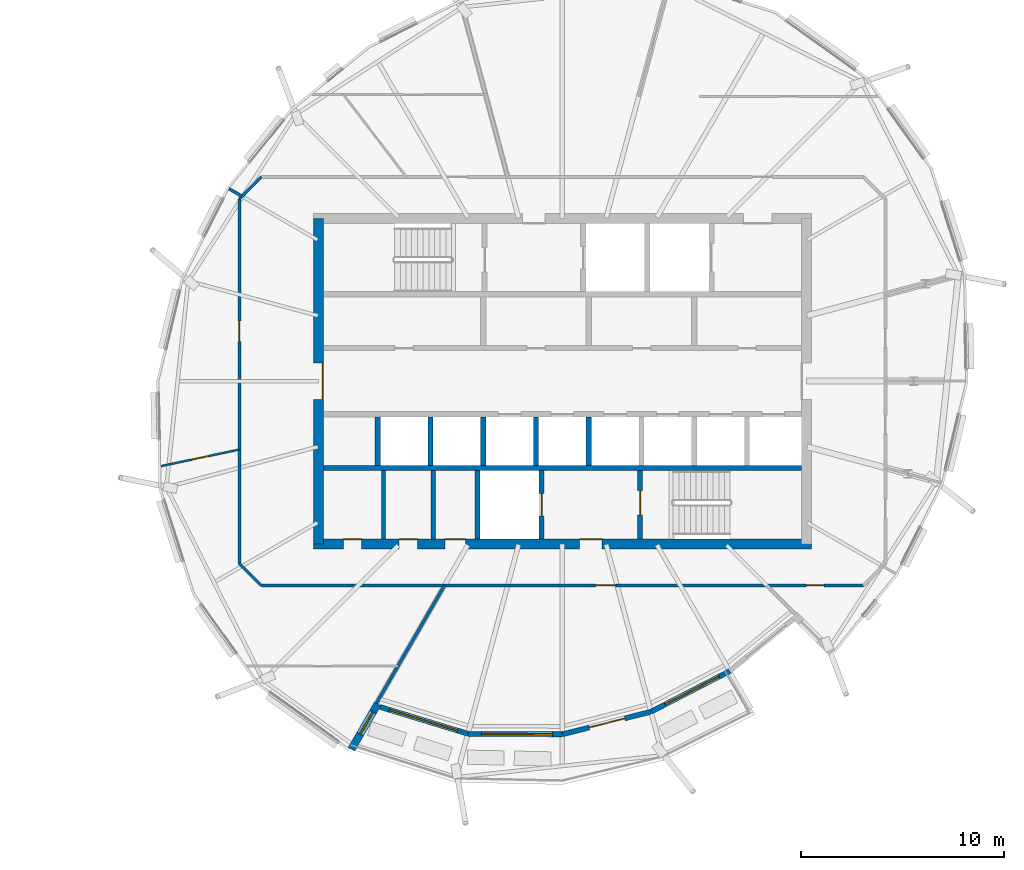
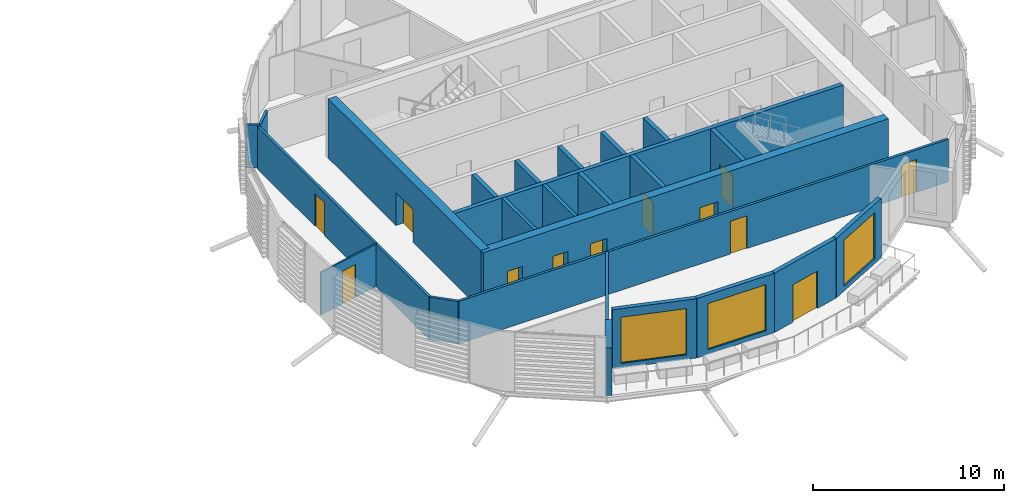
# One storey, part 23 of 41: 25 walls, 12 doors, 4 windows, 16 openings.
"""IFC4 building model written with IfcOpenShell, lengths in metres."""

from ifc_helpers import new_model, si_unit, direction, frame, frame_2d, origin, place, context, subcontext, project, spatial, rectangle, extrude, material, layer, layer_set, type_object, element, fill, save


model = new_model("IFC4")

# Units and contexts
model_context = context("Model", 3, precision=1e-05, world=origin(), true_north=direction((0.0, 1.0)))
body_context = subcontext(model_context, "Body", "Model", "MODEL_VIEW")
ifc_project = project(units=[si_unit("LENGTHUNIT", "METRE"), si_unit("AREAUNIT", "SQUARE_METRE"), si_unit("VOLUMEUNIT", "CUBIC_METRE"), si_unit("PLANEANGLEUNIT", "RADIAN"), si_unit("MASSUNIT", "GRAM", prefix="KILO")], contexts=[model_context])

# Site, building, storey
site_placement = place(None, origin())
site = spatial("IfcSite", under=ifc_project, at=site_placement, CompositionType="ELEMENT")
building_placement = place(site_placement, origin())
building = spatial("IfcBuilding", under=site, at=building_placement, Name="Rimbun Link Towers", CompositionType="ELEMENT")
storey_placement = place(building_placement, frame((0.0, 0.0, 210.5)))
storey = spatial("IfcBuildingStorey", under=building, at=storey_placement, Name="L51", CompositionType="ELEMENT", Elevation=210.5)

# Wall, opening, window
ifc_material_1 = material(Name="Dark enamelled glass spandrel on insulated aluminium backpan", Category="aluminium")
ifc_layer_1 = layer(ifc_material_1, 0.25)
ifc_layer_set_1 = layer_set([ifc_layer_1], Name="CS dark enamelled spandrel wall 250")
wall_type_1 = type_object("IfcWallType", Name="CS dark enamelled spandrel wall 250", PredefinedType="STANDARD", material=ifc_layer_set_1)
wall_1_placement = place(storey_placement, frame((27.11865234375, -17.338623046875, 0.0), z_axis=(0.0, 0.0, 1.0), x_axis=(-0.956574513319, 0.291487907928, 0.0)))
wall_1 = element("IfcWall", 1, at=wall_1_placement, inside=storey, type_object=wall_type_1, Name="Crease spandrel wall", PredefinedType="STANDARD", context=body_context, shape_type="SweptSolid", body=[
    extrude(rectangle(XDim=4.525390625, YDim=0.25, at=frame_2d((2.2626953125, 0.0))), origin(), (0.0, 0.0, 1.0), 3.800048828125),
])
opening_1_placement = place(wall_1_placement, frame((0.5498046875, 0.0, 0.300048828125)))
opening_1 = element("IfcOpeningElement", 2, at=opening_1_placement, cuts=wall_1, Name="Opening WR35H295", PredefinedType="OPENING", context=body_context, shape_type="SweptSolid", body=[
    extrude(rectangle(XDim=3.5, YDim=2.949951171875, at=frame_2d((1.75, 1.47509765625))), frame((0.0, 0.135009765625, 0.0), z_axis=(0.0, -1.0, 0.0), x_axis=(1.0, 0.0, 0.0)), (0.0, 0.0, 1.0), 0.27001953125),
])
ifc_material_2 = material(Name="Aluminium framed fixed window, dark tinted low-e glass", Category="aluminium")
window_type_1 = type_object("IfcWindowType", Name="WR ribbon window 3500X2950", PartitioningType="SINGLE_PANEL", PredefinedType="WINDOW", material=ifc_material_2)
window_1_placement = place(opening_1_placement, origin())
window_1 = element("IfcWindow", 3, at=window_1_placement, inside=storey, type_object=window_type_1, Name="Crease ribbon window", OverallHeight=2.949951171875, OverallWidth=3.5, PartitioningType="SINGLE_PANEL", PredefinedType="WINDOW", context=body_context, shape_type="SweptSolid", body=[
    extrude(rectangle(XDim=3.5, YDim=2.949951171875, at=frame_2d((1.75, 1.47509765625))), frame((0.0, 0.030029296875, 0.0), z_axis=(0.0, -1.0, 0.0), x_axis=(1.0, 0.0, 0.0)), (0.0, 0.0, 1.0), 0.06005859375),
])
fill(opening_1, window_1)

wall_2_placement = place(storey_placement, frame((31.765380859375, -17.361328125, 0.0), z_axis=(0.0, 0.0, 1.0), x_axis=(-0.999988062493, 0.004886191867, 0.0)))
wall_2 = element("IfcWall", 4, at=wall_2_placement, inside=storey, type_object=wall_type_1, Name="Crease spandrel wall", PredefinedType="STANDARD", context=body_context, shape_type="SweptSolid", body=[
    extrude(rectangle(XDim=4.646728515625, YDim=0.25, at=frame_2d((2.3232421875, 0.0))), origin(), (0.0, 0.0, 1.0), 3.800048828125),
])
opening_2_placement = place(wall_2_placement, frame((0.49267578125, 0.0, 0.300048828125)))
opening_2 = element("IfcOpeningElement", 5, at=opening_2_placement, cuts=wall_2, Name="Opening WR35H295", PredefinedType="OPENING", context=body_context, shape_type="SweptSolid", body=[
    extrude(rectangle(XDim=3.5, YDim=2.949951171875, at=frame_2d((1.75, 1.47509765625))), frame((0.0, 0.135009765625, 0.0), z_axis=(0.0, -1.0, 0.0), x_axis=(1.0, 0.0, 0.0)), (0.0, 0.0, 1.0), 0.27001953125),
])
window_2_placement = place(opening_2_placement, origin())
window_2 = element("IfcWindow", 6, at=window_2_placement, inside=storey, type_object=window_type_1, Name="Crease ribbon window", OverallHeight=2.949951171875, OverallWidth=3.5, PartitioningType="SINGLE_PANEL", PredefinedType="WINDOW", context=body_context, shape_type="SweptSolid", body=[
    extrude(rectangle(XDim=3.5, YDim=2.949951171875, at=frame_2d((1.75, 1.47509765625))), frame((0.0, 0.030029296875, 0.0), z_axis=(0.0, -1.0, 0.0), x_axis=(1.0, 0.0, 0.0)), (0.0, 0.0, 1.0), 0.06005859375),
])
fill(opening_2, window_2)

# Wall, opening, door
wall_3_placement = place(storey_placement, frame((36.116943359375, -16.247802734375, 0.0), z_axis=(0.0, 0.0, 1.0), x_axis=(-0.968784795865, -0.247903245845, 0.0)))
wall_3 = element("IfcWall", 7, at=wall_3_placement, inside=storey, type_object=wall_type_1, Name="Crease spandrel wall", PredefinedType="STANDARD", context=body_context, shape_type="SweptSolid", body=[
    extrude(rectangle(XDim=4.49169921875, YDim=0.25, at=frame_2d((2.245849609375, 0.0))), origin(), (0.0, 0.0, 1.0), 3.800048828125),
])
opening_3_placement = place(wall_3_placement, frame((1.3447265625, 0.0, 0.0)))
opening_3 = element("IfcOpeningElement", 8, at=opening_3_placement, cuts=wall_3, Name="Opening ED80", PredefinedType="OPENING", context=body_context, shape_type="SweptSolid", body=[
    extrude(rectangle(XDim=1.800048828125, YDim=2.39990234375, at=frame_2d((0.89990234375, 1.199951171875))), frame((0.0, 0.135009765625, 0.0), z_axis=(0.0, -1.0, 0.0), x_axis=(1.0, 0.0, 0.0)), (0.0, 0.0, 1.0), 0.27001953125),
])
ifc_material_3 = material(Name="Aluminium framed glazed door, low-iron glass", Category="aluminium")
door_type_1 = type_object("IfcDoorType", Name="ED terrace door double leaf 1800X2400", OperationType="DOUBLE_DOOR_SINGLE_SWING", PredefinedType="DOOR", material=ifc_material_3)
door_1_placement = place(opening_3_placement, origin())
door_1 = element("IfcDoor", 9, at=door_1_placement, inside=storey, type_object=door_type_1, Name="Terrace door", OperationType="SINGLE_SWING_LEFT", OverallHeight=2.39990234375, OverallWidth=1.800048828125, PredefinedType="DOOR", context=body_context, shape_type="SweptSolid", body=[
    extrude(rectangle(XDim=1.800048828125, YDim=2.39990234375, at=frame_2d((0.89990234375, 1.199951171875))), frame((0.0, 0.02490234375, 0.0), z_axis=(0.0, -1.0, 0.0), x_axis=(1.0, 0.0, 0.0)), (0.0, 0.0, 1.0), 0.050048828125),
])
fill(opening_3, door_1)

# Wall, opening, window
wall_4_placement = place(storey_placement, frame((39.9853515625, -14.249755859375, 0.0), z_axis=(0.0, 0.0, 1.0), x_axis=(-0.888484972791, -0.458905712674, 0.0)))
wall_4 = element("IfcWall", 10, at=wall_4_placement, inside=storey, type_object=wall_type_1, Name="Crease spandrel wall", PredefinedType="STANDARD", context=body_context, shape_type="SweptSolid", body=[
    extrude(rectangle(XDim=4.35400390625, YDim=0.25, at=frame_2d((2.177001953125, 0.0))), origin(), (0.0, 0.0, 1.0), 3.800048828125),
])
opening_4_placement = place(wall_4_placement, frame((0.593505859375, 0.0, 0.300048828125)))
opening_4 = element("IfcOpeningElement", 11, at=opening_4_placement, cuts=wall_4, Name="Opening WR30H295", PredefinedType="OPENING", context=body_context, shape_type="SweptSolid", body=[
    extrude(rectangle(XDim=3.0, YDim=2.949951171875, at=frame_2d((1.5, 1.47509765625))), frame((0.0, 0.135009765625, 0.0), z_axis=(0.0, -1.0, 0.0), x_axis=(1.0, 0.0, 0.0)), (0.0, 0.0, 1.0), 0.27001953125),
])
ifc_material_4 = material(Name="Aluminium framed fixed window, dark tinted low-e glass", Category="aluminium")
window_type_2 = type_object("IfcWindowType", Name="WR ribbon window 3000X2950", PartitioningType="SINGLE_PANEL", PredefinedType="WINDOW", material=ifc_material_4)
window_3_placement = place(opening_4_placement, origin())
window_3 = element("IfcWindow", 12, at=window_3_placement, inside=storey, type_object=window_type_2, Name="Crease ribbon window", OverallHeight=2.949951171875, OverallWidth=3.0, PartitioningType="SINGLE_PANEL", PredefinedType="WINDOW", context=body_context, shape_type="SweptSolid", body=[
    extrude(rectangle(XDim=3.0, YDim=2.949951171875, at=frame_2d((1.5, 1.47509765625))), frame((0.0, 0.030029296875, 0.0), z_axis=(0.0, -1.0, 0.0), x_axis=(1.0, 0.0, 0.0)), (0.0, 0.0, 1.0), 0.06005859375),
])
fill(opening_4, window_3)

ifc_material_5 = material(Name="Dark enamelled glass spandrel on insulated aluminium backpan", Category="aluminium")
ifc_layer_2 = layer(ifc_material_5, 0.3701171875)
ifc_layer_set_2 = layer_set([ifc_layer_2], Name="CS dark enamelled spandrel wall 370")
wall_type_2 = type_object("IfcWallType", Name="CS dark enamelled spandrel wall 370", PredefinedType="STANDARD", material=ifc_layer_set_2)
wall_5_placement = place(storey_placement, frame((22.664794921875, -15.865966796875, 0.0), z_axis=(0.0, 0.0, 1.0), x_axis=(-0.500006411147, -0.866021702275, 0.0)))
wall_5 = element("IfcWall", 13, at=wall_5_placement, inside=storey, type_object=wall_type_2, Name="Crease spandrel wall", PredefinedType="STANDARD", context=body_context, shape_type="SweptSolid", body=[
    extrude(rectangle(XDim=2.580078125, YDim=0.3701171875, at=frame_2d((1.2900390625, 0.0))), origin(), (0.0, 0.0, 1.0), 3.04736328125),
])
opening_5_placement = place(wall_5_placement, frame((0.46630859375, 0.0, 0.300048828125)))
opening_5 = element("IfcOpeningElement", 14, at=opening_5_placement, cuts=wall_5, Name="Opening WR12H245", PredefinedType="OPENING", context=body_context, shape_type="SweptSolid", body=[
    extrude(rectangle(XDim=1.25, YDim=2.449951171875, at=frame_2d((0.625, 1.22509765625))), frame((0.0, 0.195068359375, 0.0), z_axis=(0.0, -1.0, 0.0), x_axis=(1.0, 0.0, 0.0)), (0.0, 0.0, 1.0), 0.39013671875),
])
ifc_material_6 = material(Name="Aluminium framed fixed window, dark tinted low-e glass", Category="aluminium")
window_type_3 = type_object("IfcWindowType", Name="WR ribbon window 1250X2450", PartitioningType="SINGLE_PANEL", PredefinedType="WINDOW", material=ifc_material_6)
window_4_placement = place(opening_5_placement, origin())
window_4 = element("IfcWindow", 15, at=window_4_placement, inside=storey, type_object=window_type_3, Name="Crease ribbon window", OverallHeight=2.449951171875, OverallWidth=1.25, PartitioningType="SINGLE_PANEL", PredefinedType="WINDOW", context=body_context, shape_type="SweptSolid", body=[
    extrude(rectangle(XDim=1.25, YDim=2.449951171875, at=frame_2d((0.625, 1.22509765625))), frame((0.0, 0.030029296875, 0.0), z_axis=(0.0, -1.0, 0.0), x_axis=(1.0, 0.0, 0.0)), (0.0, 0.0, 1.0), 0.06005859375),
])
fill(opening_5, window_4)

# Walls
ifc_material_7 = material(Name="Masonry blockwork", Category="masonry")
ifc_layer_3 = layer(ifc_material_7, 0.199951171875)
ifc_layer_set_3 = layer_set([ifc_layer_3], Name="Core partition 200")
wall_type_3 = type_object("IfcWallType", Name="Core partition 200", PredefinedType="PARTITIONING", material=ifc_layer_set_3)
for number, where, z_axis, x_axis, name in (
    (16, (22.949951171875, -4.39990234375, 0.0), (0.0, 0.0, 1.0), (0.0, -1.0, 0.0), "L51 T2 core wall C1"),
    (17, (25.39990234375, -4.39990234375, 0.0), (0.0, 0.0, 1.0), (0.0, -1.0, 0.0), "L51 T2 core wall C2"),
):
    element("IfcWall", number, at=place(storey_placement, frame(where, z_axis=z_axis, x_axis=x_axis)), inside=storey, type_object=wall_type_3, Name=name, PredefinedType="PARTITIONING", context=body_context, shape_type="SweptSolid", body=[
        extrude(rectangle(XDim=3.35009765625, YDim=0.199951171875, at=frame_2d((1.675048828125, 0.0))), origin(), (0.0, 0.0, 1.0), 3.800048828125),
    ])

# Wall, openings, doors
ifc_material_8 = material(Name="Concrete C60/75", Category="concrete")
ifc_layer_4 = layer(ifc_material_8, 0.5)
ifc_layer_set_4 = layer_set([ifc_layer_4], Name="Core shear wall 500")
wall_type_4 = type_object("IfcWallType", Name="Core shear wall 500", PredefinedType="SHEAR", material=ifc_layer_set_4)
wall_6_placement = place(storey_placement, frame((19.5, -8.0, 0.0), z_axis=(0.0, 0.0, 1.0), x_axis=(1.0, 0.0, 0.0)))
wall_6 = element("IfcWall", 18, at=wall_6_placement, inside=storey, type_object=wall_type_4, Name="L51 T2 core wall S", PredefinedType="SHEAR", context=body_context, shape_type="SweptSolid", body=[
    extrude(rectangle(XDim=24.5, YDim=0.5, at=frame_2d((12.25, 0.0))), origin(), (0.0, 0.0, 1.0), 3.800048828125),
])
opening_6_placement = place(wall_6_placement, frame((13.10009765625, 0.0, 0.0)))
opening_6 = element("IfcOpeningElement", 19, at=opening_6_placement, cuts=wall_6, Name="Opening C2DCF01S", PredefinedType="OPENING", context=body_context, shape_type="SweptSolid", body=[
    extrude(rectangle(XDim=1.10009765625, YDim=2.10009765625, at=frame_2d((0.550048828125, 1.050048828125))), frame((0.0, 0.260009765625, 0.0), z_axis=(0.0, -1.0, 0.0), x_axis=(1.0, 0.0, 0.0)), (0.0, 0.0, 1.0), 0.52001953125),
])
opening_7_placement = place(wall_6_placement, frame((1.47509765625, 0.0, 0.0)))
opening_7 = element("IfcOpeningElement", 20, at=opening_7_placement, cuts=wall_6, Name="Opening C2DWC02S", PredefinedType="OPENING", context=body_context, shape_type="SweptSolid", body=[
    extrude(rectangle(XDim=0.89990234375, YDim=2.10009765625, at=frame_2d((0.449951171875, 1.050048828125))), frame((0.0, 0.260009765625, 0.0), z_axis=(0.0, -1.0, 0.0), x_axis=(1.0, 0.0, 0.0)), (0.0, 0.0, 1.0), 0.52001953125),
])
opening_8_placement = place(wall_6_placement, frame((4.22509765625, 0.0, 0.0)))
opening_8 = element("IfcOpeningElement", 21, at=opening_8_placement, cuts=wall_6, Name="Opening C2DWC03S", PredefinedType="OPENING", context=body_context, shape_type="SweptSolid", body=[
    extrude(rectangle(XDim=0.89990234375, YDim=2.10009765625, at=frame_2d((0.449951171875, 1.050048828125))), frame((0.0, 0.260009765625, 0.0), z_axis=(0.0, -1.0, 0.0), x_axis=(1.0, 0.0, 0.0)), (0.0, 0.0, 1.0), 0.52001953125),
])
opening_9_placement = place(wall_6_placement, frame((6.47509765625, 0.0, 0.0)))
opening_9 = element("IfcOpeningElement", 22, at=opening_9_placement, cuts=wall_6, Name="Opening C2DAW04S", PredefinedType="OPENING", context=body_context, shape_type="SweptSolid", body=[
    extrude(rectangle(XDim=1.0, YDim=2.10009765625, at=frame_2d((0.5, 1.050048828125))), frame((0.0, 0.260009765625, 0.0), z_axis=(0.0, -1.0, 0.0), x_axis=(1.0, 0.0, 0.0)), (0.0, 0.0, 1.0), 0.52001953125),
])
ifc_material_9 = material(Name="Timber", Category="wood")
door_type_2 = type_object("IfcDoorType", Name="Accessible WC door", OperationType="SINGLE_SWING_LEFT", PredefinedType="DOOR", material=ifc_material_9)
door_2_placement = place(opening_9_placement, origin())
door_2 = element("IfcDoor", 23, at=door_2_placement, inside=storey, type_object=door_type_2, Name="L51 T2 accessible wc door", OperationType="SINGLE_SWING_RIGHT", OverallHeight=2.10009765625, OverallWidth=1.0, PredefinedType="DOOR", context=body_context, shape_type="SweptSolid", body=[
    extrude(rectangle(XDim=1.0, YDim=2.10009765625, at=frame_2d((0.5, 1.050048828125))), frame((0.0, 0.25, 0.0), z_axis=(0.0, -1.0, 0.0), x_axis=(1.0, 0.0, 0.0)), (0.0, 0.0, 1.0), 0.050048828125),
])
fill(opening_9, door_2)
ifc_material_10 = material(Name="Steel fire door set", Category="steel")
door_type_3 = type_object("IfcDoorType", Name="Core fire door single", OperationType="SINGLE_SWING_LEFT", PredefinedType="DOOR", material=ifc_material_10)
door_3_placement = place(opening_6_placement, origin())
door_3 = element("IfcDoor", 24, at=door_3_placement, inside=storey, type_object=door_type_3, Name="L51 T2 firefighting lobby s door", OperationType="SINGLE_SWING_LEFT", OverallHeight=2.10009765625, OverallWidth=1.10009765625, PredefinedType="DOOR", context=body_context, shape_type="SweptSolid", body=[
    extrude(rectangle(XDim=1.10009765625, YDim=2.10009765625, at=frame_2d((0.550048828125, 1.050048828125))), frame((0.0, 0.25, 0.0), z_axis=(0.0, -1.0, 0.0), x_axis=(1.0, 0.0, 0.0)), (0.0, 0.0, 1.0), 0.050048828125),
])
fill(opening_6, door_3)
ifc_material_11 = material(Name="Timber", Category="wood")
door_type_4 = type_object("IfcDoorType", Name="WC door", OperationType="SINGLE_SWING_LEFT", PredefinedType="DOOR", material=ifc_material_11)
door_4_placement = place(opening_7_placement, origin())
door_4 = element("IfcDoor", 25, at=door_4_placement, inside=storey, type_object=door_type_4, Name="L51 T2 male wc door", OperationType="SINGLE_SWING_RIGHT", OverallHeight=2.10009765625, OverallWidth=0.89990234375, PredefinedType="DOOR", context=body_context, shape_type="SweptSolid", body=[
    extrude(rectangle(XDim=0.89990234375, YDim=2.10009765625, at=frame_2d((0.449951171875, 1.050048828125))), frame((0.0, 0.25, 0.0), z_axis=(0.0, -1.0, 0.0), x_axis=(1.0, 0.0, 0.0)), (0.0, 0.0, 1.0), 0.050048828125),
])
fill(opening_7, door_4)
door_5_placement = place(opening_8_placement, origin())
door_5 = element("IfcDoor", 26, at=door_5_placement, inside=storey, type_object=door_type_4, Name="L51 T2 female wc door", OperationType="SINGLE_SWING_RIGHT", OverallHeight=2.10009765625, OverallWidth=0.89990234375, PredefinedType="DOOR", context=body_context, shape_type="SweptSolid", body=[
    extrude(rectangle(XDim=0.89990234375, YDim=2.10009765625, at=frame_2d((0.449951171875, 1.050048828125))), frame((0.0, 0.25, 0.0), z_axis=(0.0, -1.0, 0.0), x_axis=(1.0, 0.0, 0.0)), (0.0, 0.0, 1.0), 0.050048828125),
])
fill(opening_8, door_5)

# Wall, opening, door
wall_7_placement = place(storey_placement, frame((19.75, -8.0, 0.0), z_axis=(0.0, 0.0, 1.0), x_axis=(0.0, 1.0, 0.0)))
wall_7 = element("IfcWall", 27, at=wall_7_placement, inside=storey, type_object=wall_type_4, Name="L51 T2 core wall W", PredefinedType="SHEAR", context=body_context, shape_type="SweptSolid", body=[
    extrude(rectangle(XDim=16.0, YDim=0.5, at=frame_2d((8.0, 0.0))), origin(), (0.0, 0.0, 1.0), 3.800048828125),
])
opening_10_placement = place(wall_7_placement, frame((7.10009765625, 0.0, 0.0)))
opening_10 = element("IfcOpeningElement", 28, at=opening_10_placement, cuts=wall_7, Name="Opening C2DCL01W", PredefinedType="OPENING", context=body_context, shape_type="SweptSolid", body=[
    extrude(rectangle(XDim=1.800048828125, YDim=2.10009765625, at=frame_2d((0.89990234375, 1.050048828125))), frame((0.0, 0.260009765625, 0.0), z_axis=(0.0, -1.0, 0.0), x_axis=(1.0, 0.0, 0.0)), (0.0, 0.0, 1.0), 0.52001953125),
])
ifc_material_12 = material(Name="Steel fire door set", Category="steel")
door_type_5 = type_object("IfcDoorType", Name="Core lobby door double", OperationType="DOUBLE_DOOR_SINGLE_SWING", PredefinedType="DOOR", material=ifc_material_12)
door_6_placement = place(opening_10_placement, origin())
door_6 = element("IfcDoor", 29, at=door_6_placement, inside=storey, type_object=door_type_5, Name="L51 T2 lift lobby door", OperationType="DOUBLE_DOOR_SINGLE_SWING", OverallHeight=2.10009765625, OverallWidth=1.800048828125, PredefinedType="DOOR", context=body_context, shape_type="SweptSolid", body=[
    extrude(rectangle(XDim=1.800048828125, YDim=2.10009765625, at=frame_2d((0.89990234375, 1.050048828125))), frame((0.0, -0.2001953125, 0.0), z_axis=(0.0, -1.0, 0.0), x_axis=(1.0, 0.0, 0.0)), (0.0, 0.0, 1.0), 0.050048828125),
])
fill(opening_10, door_6)

# Wall, openings, doors
ifc_material_13 = material(Name="Plasterboard on steel stud, mineral wool", Category="steel")
ifc_layer_5 = layer(ifc_material_13, 0.14990234375)
ifc_layer_set_5 = layer_set([ifc_layer_5], Name="Corridor wall EI 30 150 mm")
wall_type_5 = type_object("IfcWallType", Name="Corridor wall EI 30 150 mm", PredefinedType="PARTITIONING", material=ifc_layer_set_5)
wall_8_placement = place(storey_placement, frame((46.5537109375, -10.044921875, 0.0), z_axis=(0.0, 0.0, 1.0), x_axis=(-1.0, 0.0, 0.0)))
wall_8 = element("IfcWall", 30, at=wall_8_placement, inside=storey, type_object=wall_type_5, Name="Corridor wall EI 30 150 mm", PredefinedType="PARTITIONING", context=body_context, shape_type="SweptSolid", body=[
    extrude(rectangle(XDim=29.607421875, YDim=0.14990234375, at=frame_2d((14.8037109375, 0.0))), origin(), (0.0, 0.0, 1.0), 2.721923828125),
])
opening_11_placement = place(wall_8_placement, frame((1.92919921875, 0.0, 0.0)))
opening_11 = element("IfcOpeningElement", 31, at=opening_11_placement, cuts=wall_8, Name="Opening D02", PredefinedType="OPENING", context=body_context, shape_type="SweptSolid", body=[
    extrude(rectangle(XDim=0.89990234375, YDim=2.10009765625, at=frame_2d((0.449951171875, 1.050048828125))), frame((0.0, 0.0849609375, 0.0), z_axis=(0.0, -1.0, 0.0), x_axis=(1.0, 0.0, 0.0)), (0.0, 0.0, 1.0), 0.169921875),
])
opening_12_placement = place(wall_8_placement, frame((12.180908203125, 0.0, 0.0)))
opening_12 = element("IfcOpeningElement", 32, at=opening_12_placement, cuts=wall_8, Name="Opening D01", PredefinedType="OPENING", context=body_context, shape_type="SweptSolid", body=[
    extrude(rectangle(XDim=1.0, YDim=2.10009765625, at=frame_2d((0.5, 1.050048828125))), frame((0.0, 0.0849609375, 0.0), z_axis=(0.0, -1.0, 0.0), x_axis=(1.0, 0.0, 0.0)), (0.0, 0.0, 1.0), 0.169921875),
])
ifc_material_14 = material(Name="Fire-resisting timber door leaf", Category="wood")
door_type_6 = type_object("IfcDoorType", Name="Fire door FD30S 1000", OperationType="NOTDEFINED", PredefinedType="DOOR", material=ifc_material_14)
door_7_placement = place(opening_12_placement, origin())
door_7 = element("IfcDoor", 33, at=door_7_placement, inside=storey, type_object=door_type_6, Name="Fire door FD30S 1000 to Terrace office", OperationType="SINGLE_SWING_RIGHT", OverallHeight=2.10009765625, OverallWidth=1.0, PredefinedType="DOOR", context=body_context, shape_type="SweptSolid", body=[
    extrude(rectangle(XDim=1.0, YDim=2.10009765625, at=frame_2d((0.5, 1.050048828125))), frame((0.0, 0.02490234375, 0.0), z_axis=(0.0, -1.0, 0.0), x_axis=(1.0, 0.0, 0.0)), (0.0, 0.0, 1.0), 0.050048828125),
])
fill(opening_12, door_7)
ifc_material_15 = material(Name="Fire-resisting timber door leaf", Category="wood")
door_type_7 = type_object("IfcDoorType", Name="Fire door FD30S 900", OperationType="NOTDEFINED", PredefinedType="DOOR", material=ifc_material_15)
door_8_placement = place(opening_11_placement, origin())
door_8 = element("IfcDoor", 34, at=door_8_placement, inside=storey, type_object=door_type_7, Name="Fire door FD30S 900 to Meeting room", OperationType="SINGLE_SWING_LEFT", OverallHeight=2.10009765625, OverallWidth=0.89990234375, PredefinedType="DOOR", context=body_context, shape_type="SweptSolid", body=[
    extrude(rectangle(XDim=0.89990234375, YDim=2.10009765625, at=frame_2d((0.449951171875, 1.050048828125))), frame((0.0, 0.02490234375, 0.0), z_axis=(0.0, -1.0, 0.0), x_axis=(1.0, 0.0, 0.0)), (0.0, 0.0, 1.0), 0.050048828125),
])
fill(opening_11, door_8)

# Wall
wall_9_placement = place(storey_placement, frame((15.864990234375, -8.963623046875, 0.0), z_axis=(0.0, 0.0, 1.0), x_axis=(0.707106781187, -0.707106781187, 0.0)))
element("IfcWall", 35, at=wall_9_placement, inside=storey, type_object=wall_type_5, Name="Corridor wall EI 30 150 mm", PredefinedType="PARTITIONING", context=body_context, shape_type="SweptSolid", body=[
    extrude(rectangle(XDim=1.529296875, YDim=0.14990234375, at=frame_2d((0.7646484375, 0.0))), origin(), (0.0, 0.0, 1.0), 2.721923828125),
])

# Wall, opening, door
wall_10_placement = place(storey_placement, frame((15.864990234375, -8.963623046875, 0.0), z_axis=(0.0, 0.0, 1.0), x_axis=(0.0, 1.0, 0.0)))
wall_10 = element("IfcWall", 36, at=wall_10_placement, inside=storey, type_object=wall_type_5, Name="Corridor wall EI 30 150 mm", PredefinedType="PARTITIONING", context=body_context, shape_type="SweptSolid", body=[
    extrude(rectangle(XDim=17.92724609375, YDim=0.14990234375, at=frame_2d((8.963623046875, 0.0))), origin(), (0.0, 0.0, 1.0), 2.721923828125),
])
opening_13_placement = place(wall_10_placement, frame((10.923583984375, 0.0, 0.0)))
opening_13 = element("IfcOpeningElement", 37, at=opening_13_placement, cuts=wall_10, Name="Opening D01", PredefinedType="OPENING", context=body_context, shape_type="SweptSolid", body=[
    extrude(rectangle(XDim=1.0, YDim=2.10009765625, at=frame_2d((0.5, 1.050048828125))), frame((0.0, 0.0849609375, 0.0), z_axis=(0.0, -1.0, 0.0), x_axis=(1.0, 0.0, 0.0)), (0.0, 0.0, 1.0), 0.169921875),
])
door_9_placement = place(opening_13_placement, origin())
door_9 = element("IfcDoor", 38, at=door_9_placement, inside=storey, type_object=door_type_6, Name="Fire door FD30S 1000 to Reception", OperationType="SINGLE_SWING_LEFT", OverallHeight=2.10009765625, OverallWidth=1.0, PredefinedType="DOOR", context=body_context, shape_type="SweptSolid", body=[
    extrude(rectangle(XDim=1.0, YDim=2.10009765625, at=frame_2d((0.5, 1.050048828125))), frame((0.0, 0.02490234375, 0.0), z_axis=(0.0, -1.0, 0.0), x_axis=(1.0, 0.0, 0.0)), (0.0, 0.0, 1.0), 0.050048828125),
])
fill(opening_13, door_9)

# Wall
wall_11_placement = place(storey_placement, frame((16.9462890625, 10.044921875, 0.0), z_axis=(0.0, 0.0, 1.0), x_axis=(-0.707106781187, -0.707106781187, 0.0)))
element("IfcWall", 39, at=wall_11_placement, inside=storey, type_object=wall_type_5, Name="Corridor wall EI 30 150 mm", PredefinedType="PARTITIONING", context=body_context, shape_type="SweptSolid", body=[
    extrude(rectangle(XDim=1.529296875, YDim=0.14990234375, at=frame_2d((0.7646484375, 0.0))), origin(), (0.0, 0.0, 1.0), 2.721923828125),
])

# Wall, opening, door
ifc_material_16 = material(Name="Plasterboard on steel stud", Category="steel")
ifc_layer_6 = layer(ifc_material_16, 0.10009765625)
ifc_layer_set_6 = layer_set([ifc_layer_6], Name="Plasterboard partition 100 mm")
wall_type_6 = type_object("IfcWallType", Name="Plasterboard partition 100 mm", PredefinedType="PARTITIONING", material=ifc_layer_set_6)
wall_12_placement = place(storey_placement, frame((15.864990234375, -3.360107421875, 0.0), z_axis=(0.0, 0.0, 1.0), x_axis=(-0.978341998754, -0.206995008331, 0.0)))
wall_12 = element("IfcWall", 40, at=wall_12_placement, inside=storey, type_object=wall_type_6, Name="Plasterboard partition 100 mm", PredefinedType="PARTITIONING", context=body_context, shape_type="SweptSolid", body=[
    extrude(rectangle(XDim=3.94873046875, YDim=0.10009765625, at=frame_2d((1.974365234375, 0.0))), origin(), (0.0, 0.0, 1.0), 2.721923828125),
])
opening_14_placement = place(wall_12_placement, frame((1.5244140625, 0.0, 0.0)))
opening_14 = element("IfcOpeningElement", 41, at=opening_14_placement, cuts=wall_12, Name="Opening D04", PredefinedType="OPENING", context=body_context, shape_type="SweptSolid", body=[
    extrude(rectangle(XDim=0.89990234375, YDim=2.10009765625, at=frame_2d((0.449951171875, 1.050048828125))), frame((0.0, 0.06005859375, 0.0), z_axis=(0.0, -1.0, 0.0), x_axis=(1.0, 0.0, 0.0)), (0.0, 0.0, 1.0), 0.1201171875),
])
ifc_material_17 = material(Name="Timber door leaf", Category="wood")
door_type_8 = type_object("IfcDoorType", Name="Flush door 900", OperationType="NOTDEFINED", PredefinedType="DOOR", material=ifc_material_17)
door_10_placement = place(opening_14_placement, origin())
door_10 = element("IfcDoor", 42, at=door_10_placement, inside=storey, type_object=door_type_8, Name="Flush door 900 to Meeting room", OperationType="SINGLE_SWING_RIGHT", OverallHeight=2.10009765625, OverallWidth=0.89990234375, PredefinedType="DOOR", context=body_context, shape_type="SweptSolid", body=[
    extrude(rectangle(XDim=0.89990234375, YDim=2.10009765625, at=frame_2d((0.449951171875, 1.050048828125))), frame((0.0, 0.02490234375, 0.0), z_axis=(0.0, -1.0, 0.0), x_axis=(1.0, 0.0, 0.0)), (0.0, 0.0, 1.0), 0.050048828125),
])
fill(opening_14, door_10)

# Walls
ifc_material_18 = material(Name="Concrete C60/75", Category="concrete")
ifc_layer_7 = layer(ifc_material_18, 0.25)
ifc_layer_set_7 = layer_set([ifc_layer_7], Name="Shaft wall 250")
wall_type_7 = type_object("IfcWallType", Name="Shaft wall 250", PredefinedType="SHEAR", material=ifc_layer_set_7)
wall_13_placement = place(storey_placement, frame((20.0, -4.27490234375, 0.0), z_axis=(0.0, 0.0, 1.0), x_axis=(1.0, 0.0, 0.0)))
element("IfcWall", 43, at=wall_13_placement, inside=storey, type_object=wall_type_7, Name="L51 T2 core wall BS", PredefinedType="SHEAR", context=body_context, shape_type="SweptSolid", body=[
    extrude(rectangle(XDim=23.5, YDim=0.25, at=frame_2d((11.75, 0.0))), origin(), (0.0, 0.0, 1.0), 3.800048828125),
])
for number, where, z_axis, x_axis, name in (
    (44, (22.66943359375, -4.14990234375, 0.0), (0.0, 0.0, 1.0), (0.0, 1.0, 0.0), "L51 T2 core wall DS0"),
    (45, (25.263916015625, -4.14990234375, 0.0), (0.0, 0.0, 1.0), (0.0, 1.0, 0.0), "L51 T2 core wall DS1"),
    (46, (27.8583984375, -4.14990234375, 0.0), (0.0, 0.0, 1.0), (0.0, 1.0, 0.0), "L51 T2 core wall DS2"),
    (47, (30.452880859375, -4.14990234375, 0.0), (0.0, 0.0, 1.0), (0.0, 1.0, 0.0), "L51 T2 core wall DS3"),
    (48, (33.047119140625, -4.14990234375, 0.0), (0.0, 0.0, 1.0), (0.0, 1.0, 0.0), "L51 T2 core wall DS4"),
):
    element("IfcWall", number, at=place(storey_placement, frame(where, z_axis=z_axis, x_axis=x_axis)), inside=storey, type_object=wall_type_7, Name=name, PredefinedType="SHEAR", context=body_context, shape_type="SweptSolid", body=[
        extrude(rectangle(XDim=2.39990234375, YDim=0.25, at=frame_2d((1.199951171875, 0.0))), origin(), (0.0, 0.0, 1.0), 3.800048828125),
    ])

# Wall, opening, door
wall_14_placement = place(storey_placement, frame((35.574951171875, -4.39990234375, 0.0), z_axis=(0.0, 0.0, 1.0), x_axis=(0.0, -1.0, 0.0)))
wall_14 = element("IfcWall", 49, at=wall_14_placement, inside=storey, type_object=wall_type_7, Name="L51 T2 core wall B1", PredefinedType="SHEAR", context=body_context, shape_type="SweptSolid", body=[
    extrude(rectangle(XDim=3.35009765625, YDim=0.25, at=frame_2d((1.675048828125, 0.0))), origin(), (0.0, 0.0, 1.0), 3.800048828125),
])
opening_15_placement = place(wall_14_placement, frame((0.97509765625, 0.0, 0.0)))
opening_15 = element("IfcOpeningElement", 50, at=opening_15_placement, cuts=wall_14, Name="Opening C2DST01B1", PredefinedType="OPENING", context=body_context, shape_type="SweptSolid", body=[
    extrude(rectangle(XDim=1.199951171875, YDim=2.10009765625, at=frame_2d((0.60009765625, 1.050048828125))), frame((0.0, 0.135009765625, 0.0), z_axis=(0.0, -1.0, 0.0), x_axis=(1.0, 0.0, 0.0)), (0.0, 0.0, 1.0), 0.27001953125),
])
ifc_material_19 = material(Name="Steel fire door set", Category="steel")
door_type_9 = type_object("IfcDoorType", Name="Stair door", OperationType="SINGLE_SWING_LEFT", PredefinedType="DOOR", material=ifc_material_19)
door_11_placement = place(opening_15_placement, origin())
door_11 = element("IfcDoor", 51, at=door_11_placement, inside=storey, type_object=door_type_9, Name="L51 T2 stair b door", OperationType="SINGLE_SWING_RIGHT", OverallHeight=2.10009765625, OverallWidth=1.199951171875, PredefinedType="DOOR", context=body_context, shape_type="SweptSolid", body=[
    extrude(rectangle(XDim=1.199951171875, YDim=2.10009765625, at=frame_2d((0.60009765625, 1.050048828125))), frame((0.0, 0.02490234375, 0.0), z_axis=(0.0, -1.0, 0.0), x_axis=(1.0, 0.0, 0.0)), (0.0, 0.0, 1.0), 0.050048828125),
])
fill(opening_15, door_11)

wall_15_placement = place(storey_placement, frame((30.72509765625, -4.39990234375, 0.0), z_axis=(0.0, 0.0, 1.0), x_axis=(0.0, -1.0, 0.0)))
wall_15 = element("IfcWall", 52, at=wall_15_placement, inside=storey, type_object=wall_type_7, Name="L51 T2 core wall B2", PredefinedType="SHEAR", context=body_context, shape_type="SweptSolid", body=[
    extrude(rectangle(XDim=3.35009765625, YDim=0.25, at=frame_2d((1.675048828125, 0.0))), origin(), (0.0, 0.0, 1.0), 3.800048828125),
])
opening_16_placement = place(wall_15_placement, frame((1.125, 0.0, 0.0)))
opening_16 = element("IfcOpeningElement", 53, at=opening_16_placement, cuts=wall_15, Name="Opening LD-T2-FF2", PredefinedType="OPENING", context=body_context, shape_type="SweptSolid", body=[
    extrude(rectangle(XDim=1.10009765625, YDim=2.10009765625, at=frame_2d((0.550048828125, 1.050048828125))), frame((0.0, 0.135009765625, 0.0), z_axis=(0.0, -1.0, 0.0), x_axis=(1.0, 0.0, 0.0)), (0.0, 0.0, 1.0), 0.27001953125),
])
ifc_material_20 = material(Name="Stainless steel grade 316", Category="steel")
door_type_10 = type_object("IfcDoorType", Name="Lift landing door", OperationType="DOUBLE_DOOR_SLIDING", PredefinedType="DOOR", material=ifc_material_20)
door_12_placement = place(opening_16_placement, origin())
door_12 = element("IfcDoor", 54, at=door_12_placement, inside=storey, type_object=door_type_10, Name="L51 T2 lift FF2 landing door", OperationType="DOUBLE_DOOR_SLIDING", OverallHeight=2.10009765625, OverallWidth=1.10009765625, PredefinedType="DOOR", context=body_context, shape_type="SweptSolid", body=[
    extrude(rectangle(XDim=1.10009765625, YDim=2.10009765625, at=frame_2d((0.550048828125, 1.050048828125))), frame((0.0, 0.02490234375, 0.0), z_axis=(0.0, -1.0, 0.0), x_axis=(1.0, 0.0, 0.0)), (0.0, 0.0, 1.0), 0.050048828125),
])
fill(opening_16, door_12)

# Walls
wall_16_placement = place(storey_placement, frame((27.574951171875, -4.39990234375, 0.0), z_axis=(0.0, 0.0, 1.0), x_axis=(0.0, -1.0, 0.0)))
element("IfcWall", 55, at=wall_16_placement, inside=storey, type_object=wall_type_7, Name="L51 T2 core wall B3", PredefinedType="SHEAR", context=body_context, shape_type="SweptSolid", body=[
    extrude(rectangle(XDim=3.35009765625, YDim=0.25, at=frame_2d((1.675048828125, 0.0))), origin(), (0.0, 0.0, 1.0), 3.800048828125),
])
ifc_material_21 = material(Name="Plasterboard on steel stud, mineral wool", Category="steel")
ifc_layer_8 = layer(ifc_material_21, 0.14990234375)
ifc_layer_set_8 = layer_set([ifc_layer_8], Name="Tenancy separation wall EI 60 150 mm")
wall_type_8 = type_object("IfcWallType", Name="Tenancy separation wall EI 60 150 mm", PredefinedType="PARTITIONING", material=ifc_layer_set_8)
wall_17_placement = place(storey_placement, frame((15.99658203125, 9.09521484375, 0.0), z_axis=(0.0, 0.0, 1.0), x_axis=(-0.866048655292, 0.499959725045, 0.0)))
element("IfcWall", 56, at=wall_17_placement, inside=storey, type_object=wall_type_8, Name="Tenancy separation wall EI 60 150 mm", PredefinedType="PARTITIONING", context=body_context, shape_type="SweptSolid", body=[
    extrude(rectangle(XDim=0.7421875, YDim=0.14990234375, at=frame_2d((0.37109375, 0.0))), origin(), (0.0, 0.0, 1.0), 2.721923828125),
])
wall_18_placement = place(storey_placement, frame((25.950439453125, -10.044921875, 0.0), z_axis=(0.0, 0.0, 1.0), x_axis=(-0.500000688076, -0.866025006523, 0.0)))
element("IfcWall", 57, at=wall_18_placement, inside=storey, type_object=wall_type_8, Name="Tenancy separation wall EI 60 150 mm", PredefinedType="PARTITIONING", context=body_context, shape_type="SweptSolid", body=[
    extrude(rectangle(XDim=6.68408203125, YDim=0.14990234375, at=frame_2d((3.342041015625, 0.0))), origin(), (0.0, 0.0, 1.0), 2.721923828125),
])

save(model, "model.ifc")
